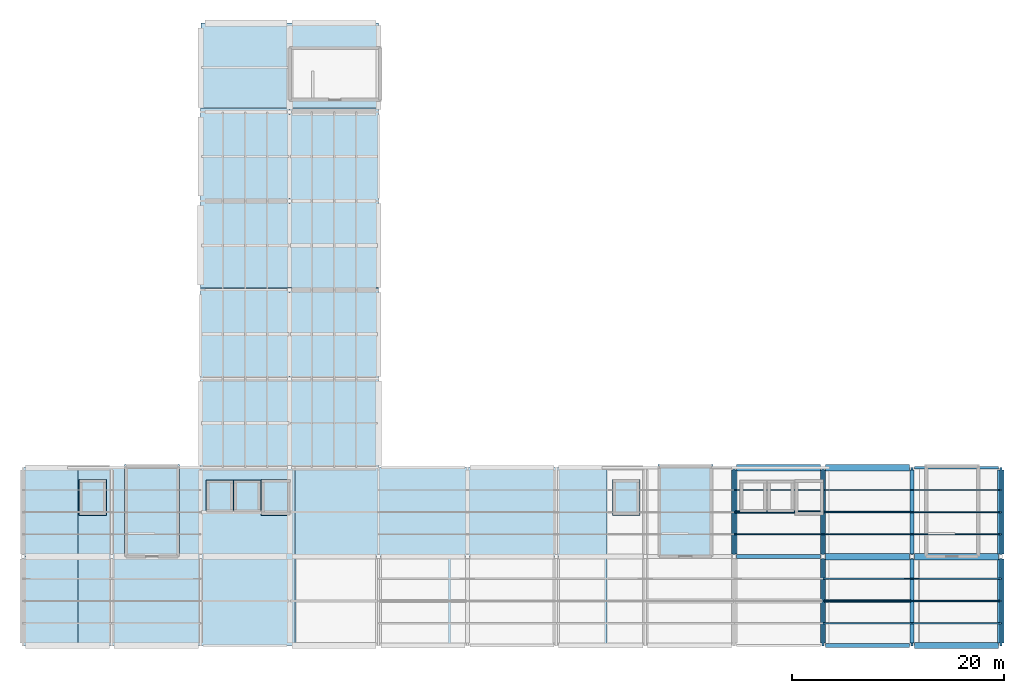
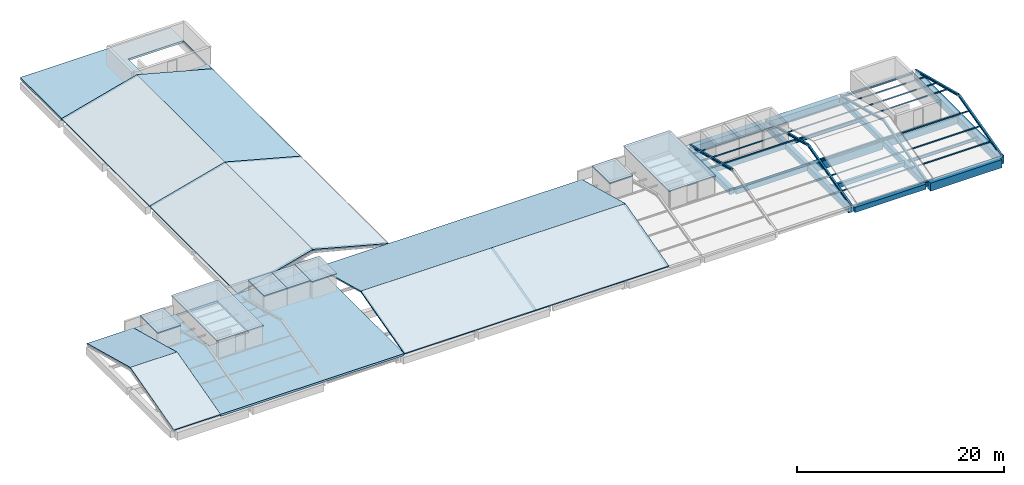
# One storey, part 4 of 17: 22 members, 19 beams, 17 slabs.
"""IFC4 building model written with IfcOpenShell, lengths in metres."""

from ifc_helpers import new_model, si_unit, derived_unit, direction, frame, origin, origin_2d, place, context, subcontext, project, spatial, polyline, rectangle, hollow_rectangle, i_section, outline, extrude, material, layer, layer_set, material_profile, profile_set, type_object, element, save


model = new_model("IFC4")

# Units and contexts
model_context = context("Model", 3, precision=1e-05, world=origin(), true_north=direction((0.0, 1.0)))
body_context = subcontext(model_context, "Body", "Model", "MODEL_VIEW")
ifc_project = project(units=[si_unit("LENGTHUNIT", "METRE"), si_unit("AREAUNIT", "SQUARE_METRE"), si_unit("VOLUMEUNIT", "CUBIC_METRE"), si_unit("PLANEANGLEUNIT", "RADIAN"), si_unit("MASSUNIT", "GRAM", prefix="KILO"), derived_unit("THERMALTRANSMITTANCEUNIT", [(si_unit("POWERUNIT", "WATT"), 1), (si_unit("LENGTHUNIT", "METRE"), -2), (si_unit("THERMODYNAMICTEMPERATUREUNIT", "KELVIN"), -1)])], contexts=[model_context])

# Site, building, storey
site_placement = place(None, origin())
site = spatial("IfcSite", under=ifc_project, at=site_placement, CompositionType="ELEMENT")
building_placement = place(site_placement, origin())
building = spatial("IfcBuilding", under=site, at=building_placement, Name="Barrovel Congress Hotel", CompositionType="ELEMENT")
storey_placement = place(building_placement, frame((0.0, 0.0, 47.10009765625)))
storey = spatial("IfcBuildingStorey", under=building, at=storey_placement, Name="RF", CompositionType="ELEMENT", Elevation=47.10009765625)

# Beams
ifc_material_1 = material(Name="Concrete C40", Category="concrete")
ifc_material_profile_1 = material_profile(ifc_material_1, rectangle(XDim=0.300048828125, YDim=0.5, at=origin_2d()), Name="RC300x500")
ifc_profile_set_1 = profile_set([ifc_material_profile_1], Name="Concrete C40")
beam_type_1 = type_object("IfcBeamType", Name="BM-RC300x500", PredefinedType="JOIST", material=ifc_profile_set_1)
beam_1_placement = place(storey_placement, frame((92.47998046875, 8.39990234375, -0.489990234375), z_axis=(1.0, 0.0, 0.0), x_axis=(0.0, 1.0, 0.0)))
element("IfcBeam", 1, at=beam_1_placement, inside=storey, type_object=beam_type_1, Name="JST:RF:92.4:8.4", PredefinedType="JOIST", context=body_context, shape_type="SweptSolid", body=[
    extrude(rectangle(XDim=0.300048828125, YDim=0.5, at=origin_2d()), origin(), (0.0, 0.0, 1.0), 8.239990234375),
])
ifc_material_profile_2 = material_profile(ifc_material_1, rectangle(XDim=0.300048828125, YDim=0.60009765625, at=origin_2d()), Name="RC300x600")
ifc_profile_set_2 = profile_set([ifc_material_profile_2], Name="Concrete C40")
beam_type_2 = type_object("IfcBeamType", Name="BM-RC300x600", PredefinedType="JOIST", material=ifc_profile_set_2)
beam_2_placement = place(storey_placement, frame((84.080078125, 16.800048828125, -0.5400390625), z_axis=(1.0, 0.0, 0.0), x_axis=(0.0, 1.0, 0.0)))
element("IfcBeam", 2, at=beam_2_placement, inside=storey, type_object=beam_type_2, Name="JST:RF:84.0:16.8", PredefinedType="JOIST", context=body_context, shape_type="SweptSolid", body=[
    extrude(rectangle(XDim=0.300048828125, YDim=0.60009765625, at=origin_2d()), origin(), (0.0, 0.0, 1.0), 8.239990234375),
])
ifc_material_profile_3 = material_profile(ifc_material_1, rectangle(XDim=0.39990234375, YDim=0.60009765625, at=origin_2d()), Name="RC400x600")
ifc_profile_set_3 = profile_set([ifc_material_profile_3], Name="Concrete C40")
beam_type_3 = type_object("IfcBeamType", Name="BM-RC400x600", PredefinedType="BEAM", material=ifc_profile_set_3)
for number, where, z_axis, x_axis, name in (
    (3, (92.625, 4.199951171875, -0.5400390625), (1.0, 0.0, 0.0), (0.0, 1.0, 0.0), "BMX:RF:4.2:92.4-100.8"),
    (4, (84.22509765625, 12.60009765625, -0.5400390625), (1.0, 0.0, 0.0), (0.0, 1.0, 0.0), "BMX:RF:12.6:84.0-92.4"),
    (5, (100.800048828125, 12.824951171875, -0.5400390625), (0.0, 1.0, 0.0), (-1.0, 0.0, 0.0), "BMY:RF:100.8:12.6-21.0"),
):
    element("IfcBeam", number, at=place(storey_placement, frame(where, z_axis=z_axis, x_axis=x_axis)), inside=storey, type_object=beam_type_3, Name=name, PredefinedType="BEAM", context=body_context, shape_type="SweptSolid", body=[
        extrude(rectangle(XDim=0.39990234375, YDim=0.60009765625, at=origin_2d()), origin(), (0.0, 0.0, 1.0), 7.949951171875),
    ])
ifc_material_profile_4 = material_profile(ifc_material_1, rectangle(XDim=0.39990234375, YDim=0.699951171875, at=origin_2d()), Name="RC400x700")
ifc_profile_set_4 = profile_set([ifc_material_profile_4], Name="Concrete C40")
beam_type_4 = type_object("IfcBeamType", Name="BM-RC400x700", PredefinedType="BEAM", material=ifc_profile_set_4)
beam_3_placement = place(storey_placement, frame((100.800048828125, 4.425048828125, -0.590087890625), z_axis=(0.0, 1.0, 0.0), x_axis=(-1.0, 0.0, 0.0)))
element("IfcBeam", 6, at=beam_3_placement, inside=storey, type_object=beam_type_4, Name="BMY:RF:100.8:4.2-12.6", PredefinedType="BEAM", context=body_context, shape_type="SweptSolid", body=[
    extrude(rectangle(XDim=0.39990234375, YDim=0.699951171875, at=origin_2d()), origin(), (0.0, 0.0, 1.0), 7.949951171875),
])
ifc_material_profile_5 = material_profile(ifc_material_1, rectangle(XDim=0.449951171875, YDim=0.64990234375, at=origin_2d()), Name="RC450x650")
ifc_profile_set_5 = profile_set([ifc_material_profile_5], Name="Concrete C40")
beam_type_5 = type_object("IfcBeamType", Name="BM-RC450x650", PredefinedType="BEAM", material=ifc_profile_set_5)
beam_4_placement = place(storey_placement, frame((92.39990234375, 12.824951171875, -0.565185546875), z_axis=(0.0, 1.0, 0.0), x_axis=(-1.0, 0.0, 0.0)))
element("IfcBeam", 7, at=beam_4_placement, inside=storey, type_object=beam_type_5, Name="BMY:RF:92.4:12.6-21.0", PredefinedType="BEAM", context=body_context, shape_type="SweptSolid", body=[
    extrude(rectangle(XDim=0.449951171875, YDim=0.64990234375, at=origin_2d()), origin(), (0.0, 0.0, 1.0), 7.949951171875),
])
ifc_material_profile_6 = material_profile(ifc_material_1, rectangle(XDim=0.449951171875, YDim=0.75, at=origin_2d()), Name="RC450x750")
ifc_profile_set_6 = profile_set([ifc_material_profile_6], Name="Concrete C40")
beam_type_6 = type_object("IfcBeamType", Name="BM-RC450x750", PredefinedType="BEAM", material=ifc_profile_set_6)
beam_5_placement = place(storey_placement, frame((92.39990234375, 4.425048828125, -0.614990234375), z_axis=(0.0, 1.0, 0.0), x_axis=(-1.0, 0.0, 0.0)))
element("IfcBeam", 8, at=beam_5_placement, inside=storey, type_object=beam_type_6, Name="BMY:RF:92.4:4.2-12.6", PredefinedType="BEAM", context=body_context, shape_type="SweptSolid", body=[
    extrude(rectangle(XDim=0.449951171875, YDim=0.75, at=origin_2d()), origin(), (0.0, 0.0, 1.0), 7.949951171875),
])
ifc_material_profile_7 = material_profile(ifc_material_1, rectangle(XDim=0.5, YDim=0.75, at=origin_2d()), Name="RC500x750")
ifc_profile_set_7 = profile_set([ifc_material_profile_7], Name="Concrete C40")
beam_type_7 = type_object("IfcBeamType", Name="BM-RC500x750", PredefinedType="BEAM", material=ifc_profile_set_7)
beam_6_placement = place(storey_placement, frame((84.0, 12.824951171875, -0.614990234375), z_axis=(0.0, 1.0, 0.0), x_axis=(-1.0, 0.0, 0.0)))
element("IfcBeam", 9, at=beam_6_placement, inside=storey, type_object=beam_type_7, Name="BMY:RF:84.0:12.6-21.0", PredefinedType="BEAM", context=body_context, shape_type="SweptSolid", body=[
    extrude(rectangle(XDim=0.5, YDim=0.75, at=origin_2d()), origin(), (0.0, 0.0, 1.0), 7.949951171875),
])
ifc_material_profile_8 = material_profile(ifc_material_1, rectangle(XDim=0.60009765625, YDim=0.85009765625, at=origin_2d()), Name="RC600x850")
ifc_profile_set_8 = profile_set([ifc_material_profile_8], Name="Concrete C40")
beam_type_8 = type_object("IfcBeamType", Name="BM-RC600x850", PredefinedType="BEAM", material=ifc_profile_set_8)
beam_7_placement = place(storey_placement, frame((101.02490234375, 12.60009765625, -0.6650390625), z_axis=(1.0, 0.0, 0.0), x_axis=(0.0, 1.0, 0.0)))
element("IfcBeam", 10, at=beam_7_placement, inside=storey, type_object=beam_type_8, Name="BMX:RF:12.6:100.8-109.2", PredefinedType="BEAM", context=body_context, shape_type="SweptSolid", body=[
    extrude(rectangle(XDim=0.60009765625, YDim=0.85009765625, at=origin_2d()), origin(), (0.0, 0.0, 1.0), 7.9501953125),
])
for number, where, z_axis, x_axis, name in (
    (11, (92.625, 21.0, -0.6650390625), (1.0, 0.0, 0.0), (0.0, 1.0, 0.0), "BMX:RF:21.0:92.4-100.8"),
    (12, (109.199951171875, 12.824951171875, -0.6650390625), (0.0, 1.0, 0.0), (-1.0, 0.0, 0.0), "BMY:RF:109.2:12.6-21.0"),
):
    element("IfcBeam", number, at=place(storey_placement, frame(where, z_axis=z_axis, x_axis=x_axis)), inside=storey, type_object=beam_type_8, Name=name, PredefinedType="BEAM", context=body_context, shape_type="SweptSolid", body=[
        extrude(rectangle(XDim=0.60009765625, YDim=0.85009765625, at=origin_2d()), origin(), (0.0, 0.0, 1.0), 7.949951171875),
    ])
ifc_material_profile_9 = material_profile(ifc_material_1, rectangle(XDim=0.60009765625, YDim=0.949951171875, at=origin_2d()), Name="RC600x950")
ifc_profile_set_9 = profile_set([ifc_material_profile_9], Name="Concrete C40")
beam_type_9 = type_object("IfcBeamType", Name="BM-RC600x950", PredefinedType="BEAM", material=ifc_profile_set_9)
beam_8_placement = place(storey_placement, frame((101.02490234375, 4.199951171875, -0.715087890625), z_axis=(1.0, 0.0, 0.0), x_axis=(0.0, 1.0, 0.0)))
element("IfcBeam", 13, at=beam_8_placement, inside=storey, type_object=beam_type_9, Name="BMX:RF:4.2:100.8-109.2", PredefinedType="BEAM", context=body_context, shape_type="SweptSolid", body=[
    extrude(rectangle(XDim=0.60009765625, YDim=0.949951171875, at=origin_2d()), origin(), (0.0, 0.0, 1.0), 7.9501953125),
])
for number, where, z_axis, x_axis, name in (
    (14, (92.625, 12.60009765625, -0.715087890625), (1.0, 0.0, 0.0), (0.0, 1.0, 0.0), "BMX:RF:12.6:92.4-100.8"),
    (15, (84.22509765625, 21.0, -0.715087890625), (1.0, 0.0, 0.0), (0.0, 1.0, 0.0), "BMX:RF:21.0:84.0-92.4"),
    (16, (109.199951171875, 4.425048828125, -0.715087890625), (0.0, 1.0, 0.0), (-1.0, 0.0, 0.0), "BMY:RF:109.2:4.2-12.6"),
):
    element("IfcBeam", number, at=place(storey_placement, frame(where, z_axis=z_axis, x_axis=x_axis)), inside=storey, type_object=beam_type_9, Name=name, PredefinedType="BEAM", context=body_context, shape_type="SweptSolid", body=[
        extrude(rectangle(XDim=0.60009765625, YDim=0.949951171875, at=origin_2d()), origin(), (0.0, 0.0, 1.0), 7.949951171875),
    ])

# Members
ifc_material_2 = material(Name="Steel ASTM A500 Grade C", Category="steel")
ifc_material_profile_10 = material_profile(ifc_material_2, hollow_rectangle(XDim=0.076171875, YDim=0.15234375, WallThickness=0.005859375, InnerFilletRadius=0.005859375, OuterFilletRadius=0.01171875, at=origin_2d()), Name="HSS152x76x6.4")
ifc_profile_set_10 = profile_set([ifc_material_profile_10], Name="Steel ASTM A500 Grade C")
member_type_1 = type_object("IfcMemberType", Name="MEM-HSS152x76x6.4", PredefinedType="STRINGER", material=ifc_profile_set_10)
member_1_placement = place(storey_placement, frame((92.39990234375, 6.300048828125, 0.3876953125), z_axis=(1.0, 0.0, 0.0), x_axis=(0.0, 1.0, 0.0)))
element("IfcMember", 17, at=member_1_placement, inside=storey, type_object=member_type_1, Name="RF-PUR:6.3:92.4", PredefinedType="STRINGER", context=body_context, shape_type="SweptSolid", body=[
    extrude(hollow_rectangle(XDim=0.076171875, YDim=0.15234375, WallThickness=0.005859375, InnerFilletRadius=0.005859375, OuterFilletRadius=0.01171875, at=origin_2d()), origin(), (0.0, 0.0, 1.0), 8.400146484375),
])
member_2_placement = place(storey_placement, frame((100.800048828125, 6.300048828125, 0.3876953125), z_axis=(1.0, 0.0, 0.0), x_axis=(0.0, 1.0, 0.0)))
element("IfcMember", 18, at=member_2_placement, inside=storey, type_object=member_type_1, Name="RF-PUR:6.3:100.8", PredefinedType="STRINGER", context=body_context, shape_type="SweptSolid", body=[
    extrude(hollow_rectangle(XDim=0.076171875, YDim=0.15234375, WallThickness=0.005859375, InnerFilletRadius=0.005859375, OuterFilletRadius=0.01171875, at=origin_2d()), origin(), (0.0, 0.0, 1.0), 8.39990234375),
])
member_3_placement = place(storey_placement, frame((92.39990234375, 8.39990234375, 0.92529296875), z_axis=(1.0, 0.0, 0.0), x_axis=(0.0, 1.0, 0.0)))
element("IfcMember", 19, at=member_3_placement, inside=storey, type_object=member_type_1, Name="RF-PUR:8.4:92.4", PredefinedType="STRINGER", context=body_context, shape_type="SweptSolid", body=[
    extrude(hollow_rectangle(XDim=0.076171875, YDim=0.15234375, WallThickness=0.005859375, InnerFilletRadius=0.005859375, OuterFilletRadius=0.01171875, at=origin_2d()), origin(), (0.0, 0.0, 1.0), 8.400146484375),
])
member_4_placement = place(storey_placement, frame((100.800048828125, 8.39990234375, 0.92529296875), z_axis=(1.0, 0.0, 0.0), x_axis=(0.0, 1.0, 0.0)))
element("IfcMember", 20, at=member_4_placement, inside=storey, type_object=member_type_1, Name="RF-PUR:8.4:100.8", PredefinedType="STRINGER", context=body_context, shape_type="SweptSolid", body=[
    extrude(hollow_rectangle(XDim=0.076171875, YDim=0.15234375, WallThickness=0.005859375, InnerFilletRadius=0.005859375, OuterFilletRadius=0.01171875, at=origin_2d()), origin(), (0.0, 0.0, 1.0), 8.39990234375),
])
member_5_placement = place(storey_placement, frame((92.39990234375, 10.5, 1.462890625), z_axis=(1.0, 0.0, 0.0), x_axis=(0.0, 1.0, 0.0)))
element("IfcMember", 21, at=member_5_placement, inside=storey, type_object=member_type_1, Name="RF-PUR:10.5:92.4", PredefinedType="STRINGER", context=body_context, shape_type="SweptSolid", body=[
    extrude(hollow_rectangle(XDim=0.076171875, YDim=0.15234375, WallThickness=0.005859375, InnerFilletRadius=0.005859375, OuterFilletRadius=0.01171875, at=origin_2d()), origin(), (0.0, 0.0, 1.0), 8.400146484375),
])
for number, where, z_axis, x_axis, name in (
    (22, (100.800048828125, 10.5, 1.462890625), (1.0, 0.0, 0.0), (0.0, 1.0, 0.0), "RF-PUR:10.5:100.8"),
    (23, (84.0, 14.699951171875, 1.462890625), (1.0, 0.0, 0.0), (0.0, 1.0, 0.0), "RF-PUR:14.7:84.0"),
):
    element("IfcMember", number, at=place(storey_placement, frame(where, z_axis=z_axis, x_axis=x_axis)), inside=storey, type_object=member_type_1, Name=name, PredefinedType="STRINGER", context=body_context, shape_type="SweptSolid", body=[
        extrude(hollow_rectangle(XDim=0.076171875, YDim=0.15234375, WallThickness=0.005859375, InnerFilletRadius=0.005859375, OuterFilletRadius=0.01171875, at=origin_2d()), origin(), (0.0, 0.0, 1.0), 8.39990234375),
    ])
member_6_placement = place(storey_placement, frame((92.39990234375, 14.699951171875, 1.462890625), z_axis=(1.0, 0.0, 0.0), x_axis=(0.0, 1.0, 0.0)))
element("IfcMember", 24, at=member_6_placement, inside=storey, type_object=member_type_1, Name="RF-PUR:14.7:92.4", PredefinedType="STRINGER", context=body_context, shape_type="SweptSolid", body=[
    extrude(hollow_rectangle(XDim=0.076171875, YDim=0.15234375, WallThickness=0.005859375, InnerFilletRadius=0.005859375, OuterFilletRadius=0.01171875, at=origin_2d()), origin(), (0.0, 0.0, 1.0), 8.400146484375),
])
for number, where, z_axis, x_axis, name in (
    (25, (100.800048828125, 14.699951171875, 1.462890625), (1.0, 0.0, 0.0), (0.0, 1.0, 0.0), "RF-PUR:14.7:100.8"),
    (26, (84.0, 16.800048828125, 0.92529296875), (1.0, 0.0, 0.0), (0.0, 1.0, 0.0), "RF-PUR:16.8:84.0"),
):
    element("IfcMember", number, at=place(storey_placement, frame(where, z_axis=z_axis, x_axis=x_axis)), inside=storey, type_object=member_type_1, Name=name, PredefinedType="STRINGER", context=body_context, shape_type="SweptSolid", body=[
        extrude(hollow_rectangle(XDim=0.076171875, YDim=0.15234375, WallThickness=0.005859375, InnerFilletRadius=0.005859375, OuterFilletRadius=0.01171875, at=origin_2d()), origin(), (0.0, 0.0, 1.0), 8.39990234375),
    ])
member_7_placement = place(storey_placement, frame((92.39990234375, 16.800048828125, 0.92529296875), z_axis=(1.0, 0.0, 0.0), x_axis=(0.0, 1.0, 0.0)))
element("IfcMember", 27, at=member_7_placement, inside=storey, type_object=member_type_1, Name="RF-PUR:16.8:92.4", PredefinedType="STRINGER", context=body_context, shape_type="SweptSolid", body=[
    extrude(hollow_rectangle(XDim=0.076171875, YDim=0.15234375, WallThickness=0.005859375, InnerFilletRadius=0.005859375, OuterFilletRadius=0.01171875, at=origin_2d()), origin(), (0.0, 0.0, 1.0), 8.400146484375),
])
for number, where, z_axis, x_axis, name in (
    (28, (100.800048828125, 16.800048828125, 0.92529296875), (1.0, 0.0, 0.0), (0.0, 1.0, 0.0), "RF-PUR:16.8:100.8"),
    (29, (84.0, 18.89990234375, 0.3876953125), (1.0, 0.0, 0.0), (0.0, 1.0, 0.0), "RF-PUR:18.9:84.0"),
):
    element("IfcMember", number, at=place(storey_placement, frame(where, z_axis=z_axis, x_axis=x_axis)), inside=storey, type_object=member_type_1, Name=name, PredefinedType="STRINGER", context=body_context, shape_type="SweptSolid", body=[
        extrude(hollow_rectangle(XDim=0.076171875, YDim=0.15234375, WallThickness=0.005859375, InnerFilletRadius=0.005859375, OuterFilletRadius=0.01171875, at=origin_2d()), origin(), (0.0, 0.0, 1.0), 8.39990234375),
    ])
member_8_placement = place(storey_placement, frame((92.39990234375, 18.89990234375, 0.3876953125), z_axis=(1.0, 0.0, 0.0), x_axis=(0.0, 1.0, 0.0)))
element("IfcMember", 30, at=member_8_placement, inside=storey, type_object=member_type_1, Name="RF-PUR:18.9:92.4", PredefinedType="STRINGER", context=body_context, shape_type="SweptSolid", body=[
    extrude(hollow_rectangle(XDim=0.076171875, YDim=0.15234375, WallThickness=0.005859375, InnerFilletRadius=0.005859375, OuterFilletRadius=0.01171875, at=origin_2d()), origin(), (0.0, 0.0, 1.0), 8.400146484375),
])
member_9_placement = place(storey_placement, frame((100.800048828125, 18.89990234375, 0.3876953125), z_axis=(1.0, 0.0, 0.0), x_axis=(0.0, 1.0, 0.0)))
element("IfcMember", 31, at=member_9_placement, inside=storey, type_object=member_type_1, Name="RF-PUR:18.9:100.8", PredefinedType="STRINGER", context=body_context, shape_type="SweptSolid", body=[
    extrude(hollow_rectangle(XDim=0.076171875, YDim=0.15234375, WallThickness=0.005859375, InnerFilletRadius=0.005859375, OuterFilletRadius=0.01171875, at=origin_2d()), origin(), (0.0, 0.0, 1.0), 8.39990234375),
])
ifc_material_3 = material(Name="Steel ASTM A992 Grade 50", Category="steel")
ifc_material_profile_11 = material_profile(ifc_material_3, i_section(OverallWidth=0.201904296875, OverallDepth=0.2470703125, WebThickness=0.00732421875, FlangeThickness=0.010986328125, FilletRadius=0.011962890625, at=origin_2d()), Name="W250x49")
ifc_profile_set_11 = profile_set([ifc_material_profile_11], Name="Steel ASTM A992 Grade 50")
member_type_2 = type_object("IfcMemberType", Name="MEM-W250x49", PredefinedType="RAFTER", material=ifc_profile_set_11)
member_10_placement = place(storey_placement, frame((84.0, 12.60009765625, 2.000732421875), z_axis=(0.0, 0.968745451339, -0.248056950134), x_axis=(-1.0, 0.0, 0.0)))
element("IfcMember", 32, at=member_10_placement, inside=storey, type_object=member_type_2, Name="RF-RAF-N:84.0", PredefinedType="RAFTER", context=body_context, shape_type="SweptSolid", body=[
    extrude(i_section(OverallWidth=0.201904296875, OverallDepth=0.2470703125, WebThickness=0.00732421875, FlangeThickness=0.010986328125, FilletRadius=0.011962890625, at=origin_2d()), origin(), (0.0, 0.0, 1.0), 8.6708984375),
])
member_11_placement = place(storey_placement, frame((92.39990234375, 4.199951171875, -0.150146484375), z_axis=(0.0, 0.968747183788, 0.248050184241), x_axis=(-1.0, 0.0, 0.0)))
element("IfcMember", 33, at=member_11_placement, inside=storey, type_object=member_type_2, Name="RF-RAF-S:92.4", PredefinedType="RAFTER", context=body_context, shape_type="SweptSolid", body=[
    extrude(i_section(OverallWidth=0.201904296875, OverallDepth=0.2470703125, WebThickness=0.00732421875, FlangeThickness=0.010986328125, FilletRadius=0.011962890625, at=origin_2d()), origin(), (0.0, 0.0, 1.0), 8.671142578125),
])
member_12_placement = place(storey_placement, frame((92.39990234375, 12.60009765625, 2.000732421875), z_axis=(0.0, 0.968745451339, -0.248056950134), x_axis=(-1.0, 0.0, 0.0)))
element("IfcMember", 34, at=member_12_placement, inside=storey, type_object=member_type_2, Name="RF-RAF-N:92.4", PredefinedType="RAFTER", context=body_context, shape_type="SweptSolid", body=[
    extrude(i_section(OverallWidth=0.201904296875, OverallDepth=0.2470703125, WebThickness=0.00732421875, FlangeThickness=0.010986328125, FilletRadius=0.011962890625, at=origin_2d()), origin(), (0.0, 0.0, 1.0), 8.6708984375),
])
member_13_placement = place(storey_placement, frame((100.800048828125, 4.199951171875, -0.150146484375), z_axis=(0.0, 0.968747183788, 0.248050184241), x_axis=(-1.0, 0.0, 0.0)))
element("IfcMember", 35, at=member_13_placement, inside=storey, type_object=member_type_2, Name="RF-RAF-S:100.8", PredefinedType="RAFTER", context=body_context, shape_type="SweptSolid", body=[
    extrude(i_section(OverallWidth=0.201904296875, OverallDepth=0.2470703125, WebThickness=0.00732421875, FlangeThickness=0.010986328125, FilletRadius=0.011962890625, at=origin_2d()), origin(), (0.0, 0.0, 1.0), 8.671142578125),
])
member_14_placement = place(storey_placement, frame((100.800048828125, 12.60009765625, 2.000732421875), z_axis=(0.0, 0.968745451339, -0.248056950134), x_axis=(-1.0, 0.0, 0.0)))
element("IfcMember", 36, at=member_14_placement, inside=storey, type_object=member_type_2, Name="RF-RAF-N:100.8", PredefinedType="RAFTER", context=body_context, shape_type="SweptSolid", body=[
    extrude(i_section(OverallWidth=0.201904296875, OverallDepth=0.2470703125, WebThickness=0.00732421875, FlangeThickness=0.010986328125, FilletRadius=0.011962890625, at=origin_2d()), origin(), (0.0, 0.0, 1.0), 8.6708984375),
])
member_15_placement = place(storey_placement, frame((109.199951171875, 4.199951171875, -0.150146484375), z_axis=(0.0, 0.968747183788, 0.248050184241), x_axis=(-1.0, 0.0, 0.0)))
element("IfcMember", 37, at=member_15_placement, inside=storey, type_object=member_type_2, Name="RF-RAF-S:109.2", PredefinedType="RAFTER", context=body_context, shape_type="SweptSolid", body=[
    extrude(i_section(OverallWidth=0.201904296875, OverallDepth=0.2470703125, WebThickness=0.00732421875, FlangeThickness=0.010986328125, FilletRadius=0.011962890625, at=origin_2d()), origin(), (0.0, 0.0, 1.0), 8.671142578125),
])
member_16_placement = place(storey_placement, frame((109.199951171875, 12.60009765625, 2.000732421875), z_axis=(0.0, 0.968745451339, -0.248056950134), x_axis=(-1.0, 0.0, 0.0)))
element("IfcMember", 38, at=member_16_placement, inside=storey, type_object=member_type_2, Name="RF-RAF-N:109.2", PredefinedType="RAFTER", context=body_context, shape_type="SweptSolid", body=[
    extrude(i_section(OverallWidth=0.201904296875, OverallDepth=0.2470703125, WebThickness=0.00732421875, FlangeThickness=0.010986328125, FilletRadius=0.011962890625, at=origin_2d()), origin(), (0.0, 0.0, 1.0), 8.6708984375),
])

# Beams
ifc_material_profile_12 = material_profile(ifc_material_3, i_section(OverallWidth=0.201904296875, OverallDepth=0.2470703125, WebThickness=0.00732421875, FlangeThickness=0.010986328125, FilletRadius=0.011962890625, at=origin_2d()), Name="W250x49")
ifc_profile_set_12 = profile_set([ifc_material_profile_12], Name="Steel ASTM A992 Grade 50")
beam_type_10 = type_object("IfcBeamType", Name="SBM-W250x49", PredefinedType="SPANDREL", material=ifc_profile_set_12)
beam_9_placement = place(storey_placement, frame((101.02490234375, 21.0, -0.363525390625), z_axis=(1.0, 0.0, 0.0), x_axis=(0.0, 1.0, 0.0)))
element("IfcBeam", 39, at=beam_9_placement, inside=storey, type_object=beam_type_10, Name="BMX:RF:21.0:100.8-109.2", PredefinedType="SPANDREL", context=body_context, shape_type="SweptSolid", body=[
    extrude(i_section(OverallWidth=0.201904296875, OverallDepth=0.2470703125, WebThickness=0.00732421875, FlangeThickness=0.010986328125, FilletRadius=0.011962890625, at=origin_2d()), origin(), (0.0, 0.0, 1.0), 7.9501953125),
])
ifc_material_profile_13 = material_profile(ifc_material_3, i_section(OverallWidth=0.172119140625, OverallDepth=0.35791015625, WebThickness=0.0078125, FlangeThickness=0.01318359375, FilletRadius=0.011962890625, at=origin_2d()), Name="W360x57")
ifc_profile_set_13 = profile_set([ifc_material_profile_13], Name="Steel ASTM A992 Grade 50")
beam_type_11 = type_object("IfcBeamType", Name="SBM-W360x57", PredefinedType="JOIST", material=ifc_profile_set_13)
beam_10_placement = place(storey_placement, frame((100.8798828125, 8.39990234375, -0.419189453125), z_axis=(1.0, 0.0, 0.0), x_axis=(0.0, 1.0, 0.0)))
element("IfcBeam", 40, at=beam_10_placement, inside=storey, type_object=beam_type_11, Name="JST:RF:100.8:8.4", PredefinedType="JOIST", context=body_context, shape_type="SweptSolid", body=[
    extrude(i_section(OverallWidth=0.172119140625, OverallDepth=0.35791015625, WebThickness=0.0078125, FlangeThickness=0.01318359375, FilletRadius=0.011962890625, at=origin_2d()), origin(), (0.0, 0.0, 1.0), 8.240234375),
])
ifc_material_profile_14 = material_profile(ifc_material_3, i_section(OverallWidth=0.177001953125, OverallDepth=0.403076171875, WebThickness=0.007568359375, FlangeThickness=0.010986328125, FilletRadius=0.011962890625, at=origin_2d()), Name="W410x53")
ifc_profile_set_14 = profile_set([ifc_material_profile_14], Name="Steel ASTM A992 Grade 50")
beam_type_12 = type_object("IfcBeamType", Name="SBM-W410x53", PredefinedType="JOIST", material=ifc_profile_set_14)
beam_11_placement = place(storey_placement, frame((92.47998046875, 16.800048828125, -0.441650390625), z_axis=(1.0, 0.0, 0.0), x_axis=(0.0, 1.0, 0.0)))
element("IfcBeam", 41, at=beam_11_placement, inside=storey, type_object=beam_type_12, Name="JST:RF:92.4:16.8", PredefinedType="JOIST", context=body_context, shape_type="SweptSolid", body=[
    extrude(i_section(OverallWidth=0.177001953125, OverallDepth=0.403076171875, WebThickness=0.007568359375, FlangeThickness=0.010986328125, FilletRadius=0.011962890625, at=origin_2d()), origin(), (0.0, 0.0, 1.0), 8.239990234375),
])

# Slabs
ifc_material_4 = material(Name="Concrete C35", Category="concrete")
ifc_layer_1 = layer(ifc_material_4, 0.139892578125)
ifc_layer_set_1 = layer_set([ifc_layer_1], Name="Concrete C35")
slab_type_1 = type_object("IfcSlabType", Name="SL-R140", PredefinedType="ROOF", material=ifc_layer_set_1)
slab_1_placement = place(storey_placement, frame((0.0, 0.0, 1.97998046875)))
element("IfcSlab", 42, at=slab_1_placement, inside=storey, type_object=slab_type_1, Name="Stair Headhouse Roof XS-01", PredefinedType="ROOF", context=body_context, shape_type="SweptSolid", body=[
    extrude(outline(polyline([(26.39990234375, 12.4599609375), (31.60009765625, 12.4599609375), (31.60009765625, 21.300048828125), (26.39990234375, 21.300048828125), (26.39990234375, 12.4599609375)])), origin(), (0.0, 0.0, 1.0), 0.139892578125),
])
slab_2_placement = place(storey_placement, frame((0.0, 0.0, 1.97998046875)))
element("IfcSlab", 43, at=slab_2_placement, inside=storey, type_object=slab_type_1, Name="Stair Headhouse Roof XS-02", PredefinedType="ROOF", context=body_context, shape_type="SweptSolid", body=[
    extrude(outline(polyline([(76.800048828125, 12.4599609375), (82.0, 12.4599609375), (82.0, 21.300048828125), (76.800048828125, 21.300048828125), (76.800048828125, 12.4599609375)])), origin(), (0.0, 0.0, 1.0), 0.139892578125),
])
slab_3_placement = place(storey_placement, frame((0.0, 0.0, 1.97998046875)))
element("IfcSlab", 44, at=slab_3_placement, inside=storey, type_object=slab_type_1, Name="Lift Overrun Roof FL-1", PredefinedType="ROOF", context=body_context, shape_type="SweptSolid", body=[
    extrude(outline(polyline([(22.10009765625, 16.5), (24.699951171875, 16.5), (24.699951171875, 19.89990234375), (22.10009765625, 19.89990234375), (22.10009765625, 16.5)])), origin(), (0.0, 0.0, 1.0), 0.139892578125),
])
slab_4_placement = place(storey_placement, frame((0.0, 0.0, 1.97998046875)))
element("IfcSlab", 45, at=slab_4_placement, inside=storey, type_object=slab_type_1, Name="Lift Overrun Roof FL-2", PredefinedType="ROOF", context=body_context, shape_type="SweptSolid", body=[
    extrude(outline(polyline([(72.5, 16.5), (75.10009765625, 16.5), (75.10009765625, 19.89990234375), (72.5, 19.89990234375), (72.5, 16.5)])), origin(), (0.0, 0.0, 1.0), 0.139892578125),
])
slab_5_placement = place(storey_placement, frame((0.0, 0.0, 1.97998046875)))
element("IfcSlab", 46, at=slab_5_placement, inside=storey, type_object=slab_type_1, Name="Lift Overrun Roof PL-1", PredefinedType="ROOF", context=body_context, shape_type="SweptSolid", body=[
    extrude(outline(polyline([(34.10009765625, 16.75), (36.699951171875, 16.75), (36.699951171875, 19.85009765625), (34.10009765625, 19.85009765625), (34.10009765625, 16.75)])), origin(), (0.0, 0.0, 1.0), 0.139892578125),
])
slab_6_placement = place(storey_placement, frame((0.0, 0.0, 1.97998046875)))
element("IfcSlab", 47, at=slab_6_placement, inside=storey, type_object=slab_type_1, Name="Lift Overrun Roof PL-2", PredefinedType="ROOF", context=body_context, shape_type="SweptSolid", body=[
    extrude(outline(polyline([(36.699951171875, 16.75), (39.300048828125, 16.75), (39.300048828125, 19.85009765625), (36.699951171875, 19.85009765625), (36.699951171875, 16.75)])), origin(), (0.0, 0.0, 1.0), 0.139892578125),
])
slab_7_placement = place(storey_placement, frame((0.0, 0.0, 1.97998046875)))
element("IfcSlab", 48, at=slab_7_placement, inside=storey, type_object=slab_type_1, Name="Lift Overrun Roof SL-1", PredefinedType="ROOF", context=body_context, shape_type="SweptSolid", body=[
    extrude(outline(polyline([(39.300048828125, 16.5), (42.10009765625, 16.5), (42.10009765625, 19.89990234375), (39.300048828125, 19.89990234375), (39.300048828125, 16.5)])), origin(), (0.0, 0.0, 1.0), 0.139892578125),
])
ifc_layer_2 = layer(ifc_material_4, 0.159912109375)
ifc_layer_set_2 = layer_set([ifc_layer_2], Name="Concrete C35")
slab_type_2 = type_object("IfcSlabType", Name="SL-R160", PredefinedType="ROOF", material=ifc_layer_set_2)
slab_8_placement = place(storey_placement, frame((16.800048828125, 4.199951171875, 0.0), z_axis=(0.0, -0.258810457345, 0.965928127331), x_axis=(1.0, 0.0, 0.0)))
element("IfcSlab", 49, at=slab_8_placement, inside=storey, type_object=slab_type_2, Name="SLAB:RF-ATTIC-S1", PredefinedType="ROOF", context=body_context, shape_type="SweptSolid", body=[
    extrude(outline(polyline([(0.0, 0.0), (5.199951171875, 0.0), (5.199951171875, 8.696450850423808), (0.0, 8.696450850423808), (0.0, 0.0)])), origin(), (0.0, 0.0, -1.0), 0.159912109375),
])
slab_9_placement = place(storey_placement, frame((16.800048828125, 12.60009765625, 2.250732421875), z_axis=(0.0, 0.258817475711, 0.965926246805), x_axis=(1.0, 0.0, 0.0)))
element("IfcSlab", 50, at=slab_9_placement, inside=storey, type_object=slab_type_2, Name="SLAB:RF-ATTIC-N1", PredefinedType="ROOF", context=body_context, shape_type="SweptSolid", body=[
    extrude(outline(polyline([(0.0, 0.0), (5.199951171875, 0.0), (5.199951171875, 8.696215028356649), (0.0, 8.696215028356649), (0.0, 0.0)])), origin(), (0.0, 0.0, -1.0), 0.159912109375),
])
slab_10_placement = place(storey_placement, frame((42.5, 4.199951171875, 0.0), z_axis=(0.0, -0.258810457345, 0.965928127331), x_axis=(1.0, 0.0, 0.0)))
element("IfcSlab", 51, at=slab_10_placement, inside=storey, type_object=slab_type_2, Name="SLAB:RF-ATTIC-S2", PredefinedType="ROOF", context=body_context, shape_type="SweptSolid", body=[
    extrude(outline(polyline([(0.0, 0.0), (29.5, 0.0), (29.5, 8.696450850423808), (0.0, 8.696450850423808), (0.0, 0.0)])), origin(), (0.0, 0.0, -1.0), 0.159912109375),
])
slab_11_placement = place(storey_placement, frame((42.5, 12.60009765625, 2.250732421875), z_axis=(0.0, 0.258817475711, 0.965926246805), x_axis=(1.0, 0.0, 0.0)))
element("IfcSlab", 52, at=slab_11_placement, inside=storey, type_object=slab_type_2, Name="SLAB:RF-ATTIC-N2", PredefinedType="ROOF", context=body_context, shape_type="SweptSolid", body=[
    extrude(outline(polyline([(0.0, 0.0), (29.5, 0.0), (29.5, 8.696215028356649), (0.0, 8.696215028356649), (0.0, 0.0)])), origin(), (0.0, 0.0, -1.0), 0.159912109375),
])
for number, where, z_axis, x_axis, name in (
    (53, (33.60009765625, 21.0, 0.0), (-0.258817475711, 0.0, 0.965926246805), (0.965926246805, 0.0, 0.258817475711), "SLAB:RF-WATTIC-W1"),
    (54, (42.0, 21.0, 2.250732421875), (0.258817475711, 0.0, 0.965926246805), (0.965926246805, 0.0, -0.258817475711), "SLAB:RF-WATTIC-E1"),
    (55, (33.60009765625, 38.0, 0.0), (-0.258817475711, 0.0, 0.965926246805), (0.965926246805, 0.0, 0.258817475711), "SLAB:RF-WATTIC-W2"),
    (56, (42.0, 38.0, 2.250732421875), (0.258817475711, 0.0, 0.965926246805), (0.965926246805, 0.0, -0.258817475711), "SLAB:RF-WATTIC-E2"),
):
    element("IfcSlab", number, at=place(storey_placement, frame(where, z_axis=z_axis, x_axis=x_axis)), inside=storey, type_object=slab_type_2, Name=name, PredefinedType="ROOF", context=body_context, shape_type="SweptSolid", body=[
        extrude(outline(polyline([(0.0, 0.0), (8.69621502835665, 0.0), (8.69621502835665, 17.000000000000004), (0.0, 17.000000000000004), (0.0, 0.0)])), origin(), (0.0, 0.0, -1.0), 0.159912109375),
    ])
ifc_layer_3 = layer(ifc_material_4, 0.239990234375)
ifc_layer_set_3 = layer_set([ifc_layer_3], Name="Concrete C35")
slab_type_3 = type_object("IfcSlabType", Name="SL-R240", PredefinedType="ROOF", material=ifc_layer_set_3)
slab_12_placement = place(storey_placement, frame((0.0, 0.0, -0.239990234375)))
element("IfcSlab", 57, at=slab_12_placement, inside=storey, type_object=slab_type_3, Name="SLAB:RF:CORE-DECK-1", PredefinedType="ROOF", context=body_context, shape_type="SweptSolid", body=[
    extrude(outline(polyline([(22.02001953125, 4.199951171875), (42.47998046875, 4.199951171875), (42.47998046875, 20.97998046875), (22.02001953125, 20.97998046875), (22.02001953125, 4.199951171875)]), holes=[polyline([(26.699951171875, 14.780029296875), (26.699951171875, 20.89990234375), (31.300048828125, 20.89990234375), (31.300048828125, 14.780029296875), (26.699951171875, 14.780029296875)])]), origin(), (0.0, 0.0, 1.0), 0.239990234375),
])
slab_13_placement = place(storey_placement, frame((0.0, 0.0, -0.239990234375)))
element("IfcSlab", 58, at=slab_13_placement, inside=storey, type_object=slab_type_3, Name="SLAB:RF:CORE-DECK-4", PredefinedType="ROOF", context=body_context, shape_type="SweptSolid", body=[
    extrude(outline(polyline([(33.6201171875, 55.02001953125), (50.39990234375, 55.02001953125), (50.39990234375, 63.0), (33.6201171875, 63.0), (33.6201171875, 55.02001953125)]), holes=[polyline([(44.179931640625, 55.89990234375), (44.179931640625, 60.5), (50.320068359375, 60.5), (50.320068359375, 55.89990234375), (44.179931640625, 55.89990234375)])]), origin(), (0.0, 0.0, 1.0), 0.239990234375),
])

save(model, "model.ifc")
